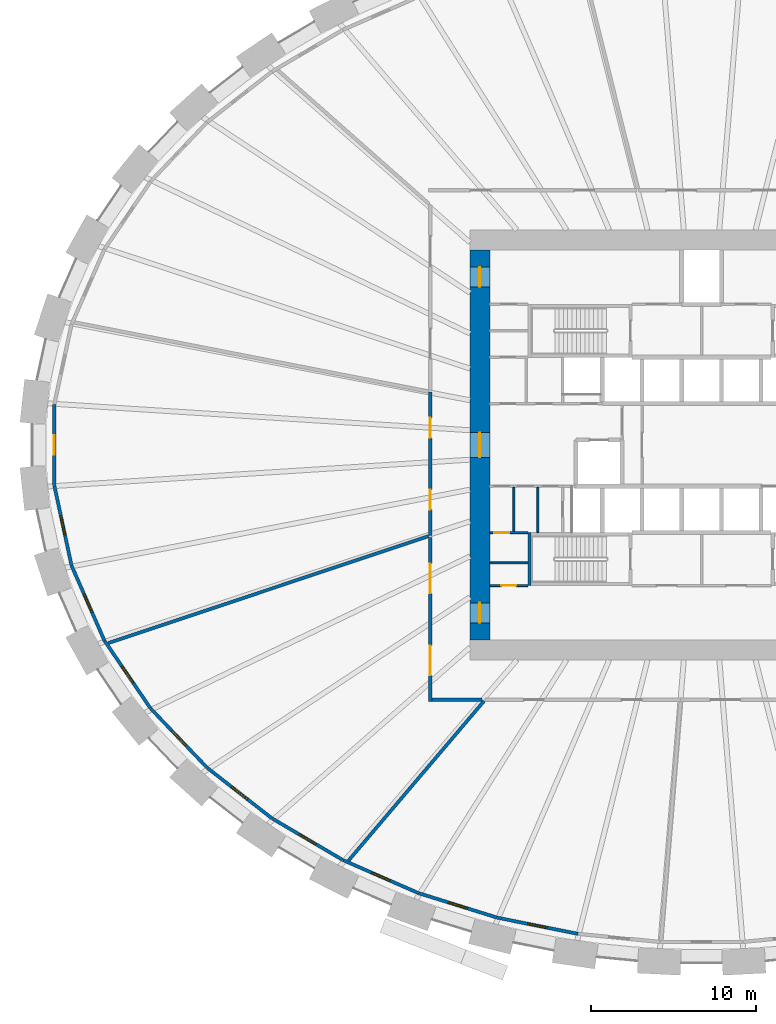
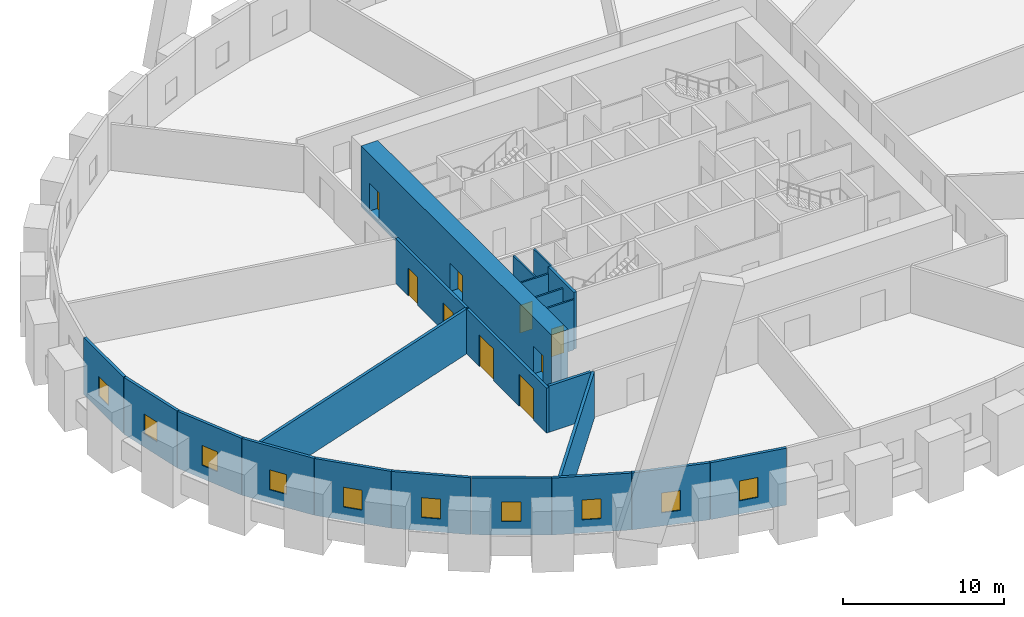
# One storey, part 3 of 9: 22 walls, 10 windows, 9 doors, 19 openings.
"""IFC4 building model written with IfcOpenShell, lengths in metres."""

import ifcopenshell
import ifcopenshell.guid

model = None  # the IFC model being written
_history = None  # IfcOwnerHistory: only IFC2X3 demands one
_inside = {}  # id of a spatial element -> (the spatial element, [elements in it])
_under = {}  # id of a project, library or spatial element -> (it, [spatial elements below it])
_declared = {}  # id of a project -> (the project, [libraries it declares])
_typed = {}  # id of a type object -> (the type object, [elements of that type])
_made_of = {}  # id of a material, layer set ... -> (it, [elements and type objects made of it])


def new_model(schema):
    """Start an empty IFC model of exactly this schema.

    Asked for "IFC4X3", IfcOpenShell would pick the latest addendum, in which some entities
    have other attributes; the version numbers below select the first issue.
    IFC2X3 requires an IfcOwnerHistory on every rooted entity: one is made here for all.
    """
    global model, _history
    if schema == "IFC4X3":
        model = ifcopenshell.file(schema_version=(4, 3, 0, 0))
    else:
        model = ifcopenshell.file(schema=schema)
    _inside.clear()
    _under.clear()
    _declared.clear()
    _typed.clear()
    _made_of.clear()
    _history = None
    if model.schema == "IFC2X3":
        org = make("IfcOrganization", Name="unknown")
        user = make(
            "IfcPersonAndOrganization",
            ThePerson=make("IfcPerson", FamilyName="unknown"),
            TheOrganization=org,
        )
        app = make(
            "IfcApplication",
            ApplicationDeveloper=org,
            Version="unknown",
            ApplicationFullName="unknown",
            ApplicationIdentifier="unknown",
        )
        _history = make(
            "IfcOwnerHistory",
            OwningUser=user,
            OwningApplication=app,
            ChangeAction="ADDED",
            CreationDate=0,
        )
    return model


def make(cls, **values):
    """One entity of the class cls with the attributes given. An attribute that is None is left unset."""
    return model.create_entity(
        cls, **{name: value for name, value in values.items() if value is not None}
    )


def rooted(cls, **values):
    """An entity with a GlobalId (a new one), such as an element, a storey or a relation."""
    return make(cls, GlobalId=ifcopenshell.guid.new(), OwnerHistory=_history, **values)


def si_unit(unit_type, name, prefix=None):
    """IfcSIUnit, for example si_unit("LENGTHUNIT", "METRE", prefix="MILLI")."""
    return make("IfcSIUnit", UnitType=unit_type, Prefix=prefix, Name=name)


def assignment(units):
    """IfcUnitAssignment: the units of a project."""
    return None if units is None else make("IfcUnitAssignment", Units=units)


def point(xyz):
    """IfcCartesianPoint."""
    return None if xyz is None else make("IfcCartesianPoint", Coordinates=xyz)


def direction(xyz):
    """IfcDirection."""
    return None if xyz is None else make("IfcDirection", DirectionRatios=xyz)


def frame(location, z_axis=None, x_axis=None):
    """IfcAxis2Placement3D, a coordinate frame: its origin and axes. An axis left out is left unset."""
    return make(
        "IfcAxis2Placement3D",
        Location=point(location),
        Axis=direction(z_axis),
        RefDirection=direction(x_axis),
    )


def frame_2d(location, x_axis=None):
    """IfcAxis2Placement2D, a coordinate frame in the plane: its origin and x axis."""
    return make(
        "IfcAxis2Placement2D", Location=point(location), RefDirection=direction(x_axis)
    )


def origin():
    """The frame at (0, 0, 0) with its axes left unset."""
    return frame((0.0, 0.0, 0.0))


def place(relative_to, where):
    """IfcLocalPlacement: puts the frame where relative to a parent placement (None: the world)."""
    return make(
        "IfcLocalPlacement", PlacementRelTo=relative_to, RelativePlacement=where
    )


def context(
    kind, dimensions, precision=None, world=None, true_north=None, identifier=None
):
    """IfcGeometricRepresentationContext, for example the 3D "Model" context."""
    return make(
        "IfcGeometricRepresentationContext",
        ContextIdentifier=identifier,
        ContextType=kind,
        CoordinateSpaceDimension=dimensions,
        Precision=precision,
        WorldCoordinateSystem=world,
        TrueNorth=true_north,
    )


def subcontext(parent, identifier, kind, view, scale=None):
    """IfcGeometricRepresentationSubContext, for example "Body" below "Model"."""
    return make(
        "IfcGeometricRepresentationSubContext",
        ContextIdentifier=identifier,
        ContextType=kind,
        ParentContext=parent,
        TargetScale=scale,
        TargetView=view,
    )


def project(units=None, contexts=None):
    """IfcProject with its units and contexts."""
    return rooted(
        "IfcProject",
        Name="project",
        RepresentationContexts=contexts,
        UnitsInContext=assignment(units),
    )


def spatial(cls, under=None, at=None, **own):
    """A site, building, storey or space (cls), placed at a placement, below another one or the project."""
    s = rooted(cls, ObjectPlacement=at, **own)
    if under is not None:
        _under.setdefault(under.id(), (under, []))[1].append(s)
    return s


def profile(cls, at=None, kind="AREA", **sizes):
    """A parametric profile (cls). Its sizes go by their IFC names, for example OverallWidth=200.0."""
    return make(cls, ProfileType=kind, Position=at, **sizes)


def rectangle(**sizes):
    """IfcRectangleProfileDef."""
    return profile("IfcRectangleProfileDef", **sizes)


def extrude(swept, where, along, depth):
    """IfcExtrudedAreaSolid: the profile swept, set in the frame where, extruded along a direction by depth."""
    return make(
        "IfcExtrudedAreaSolid",
        SweptArea=swept,
        Position=where,
        ExtrudedDirection=direction(along),
        Depth=depth,
    )


def shape(context_of_items, identifier, shape_type, items):
    """IfcShapeRepresentation: the items that make up one representation, for example the "Body"."""
    return make(
        "IfcShapeRepresentation",
        ContextOfItems=context_of_items,
        RepresentationIdentifier=identifier,
        RepresentationType=shape_type,
        Items=items,
    )


def source(mapping_origin, context_of_items, identifier, shape_type, items):
    """IfcRepresentationMap: a shape defined once, which mapped items show again and again."""
    return make(
        "IfcRepresentationMap",
        MappingOrigin=mapping_origin,
        MappedRepresentation=shape(context_of_items, identifier, shape_type, items),
    )


def transform(
    local_origin,
    x_axis=None,
    y_axis=None,
    z_axis=None,
    scale=None,
    scale2=None,
    scale3=None,
    uniform=True,
):
    """IfcCartesianTransformationOperator3D, or its non-uniform kind. x_axis, y_axis, z_axis: its Axis1, 2, 3."""
    if uniform:
        return make(
            "IfcCartesianTransformationOperator3D",
            Axis1=direction(x_axis),
            Axis2=direction(y_axis),
            LocalOrigin=point(local_origin),
            Scale=scale,
            Axis3=direction(z_axis),
        )
    return make(
        "IfcCartesianTransformationOperator3DnonUniform",
        Axis1=direction(x_axis),
        Axis2=direction(y_axis),
        LocalOrigin=point(local_origin),
        Scale=scale,
        Axis3=direction(z_axis),
        Scale2=scale2,
        Scale3=scale3,
    )


def mapped(mapping_source, mapping_target):
    """IfcMappedItem: shows the shape of a source again, moved by a transform."""
    return make(
        "IfcMappedItem", MappingSource=mapping_source, MappingTarget=mapping_target
    )


def material(Name=None, Category=None):
    """IfcMaterial."""
    return make("IfcMaterial", Name=Name, Category=Category)


def layer(
    of_material, thickness, ventilated=None, Name=None, Category=None, Priority=None
):
    """IfcMaterialLayer: one layer of a wall or slab, of a material (None: an air gap)."""
    return make(
        "IfcMaterialLayer",
        Material=of_material,
        LayerThickness=thickness,
        IsVentilated=ventilated,
        Name=Name,
        Category=Category,
        Priority=Priority,
    )


def layer_set(layers, Name=None):
    """IfcMaterialLayerSet."""
    return make("IfcMaterialLayerSet", MaterialLayers=layers, LayerSetName=Name)


def made_of(thing, what):
    """Note that an element or type object is made of a material, layer set ...; save() writes the relation."""
    if what is not None:
        _made_of.setdefault(what.id(), (what, []))[1].append(thing)
    return thing


def type_object(cls, material=None, **own):
    """A type object (cls), such as IfcWallType, which elements share."""
    return made_of(rooted(cls, **own), material)


def element(
    cls,
    number,
    at=None,
    inside=None,
    cuts=None,
    type_object=None,
    material=None,
    context=None,
    identifier="Body",
    shape_type=None,
    held_by="IfcProductDefinitionShape",
    body=None,
    shapes=None,
    **own,
):
    """One element of the class cls, such as IfcWall. Its Tag is "e" and its number.

    at: its placement. inside: the storey or other place that contains it. cuts: it is an
    opening in that element (IfcRelVoidsElement). A single representation is given by context,
    identifier, shape_type and body (its items); several are given by shapes. held_by: the class
    of the entity that holds the representations. save() writes the other relations.
    """
    e = rooted(cls, Tag="e%d" % number, ObjectPlacement=at, **own)
    if body is not None:
        shapes = [shape(context, identifier, shape_type, body)]
    if shapes is not None:
        e.Representation = make(held_by, Representations=shapes)
    if inside is not None:
        _inside.setdefault(inside.id(), (inside, []))[1].append(e)
    if cuts is not None:
        rooted(
            "IfcRelVoidsElement", RelatingBuildingElement=cuts, RelatedOpeningElement=e
        )
    if type_object is not None:
        _typed.setdefault(type_object.id(), (type_object, []))[1].append(e)
    return made_of(e, material)


def fill(opening, filler):
    """IfcRelFillsElement: the door or window that sits in an opening."""
    return rooted(
        "IfcRelFillsElement",
        RelatingOpeningElement=opening,
        RelatedBuildingElement=filler,
    )


def aggregate(whole, parts):
    """IfcRelAggregates: a whole, such as a stair, and the parts it consists of."""
    return rooted("IfcRelAggregates", RelatingObject=whole, RelatedObjects=parts)


def save(model, path):
    """Write the relations noted so far, then the file.

    IfcRelAggregates (storeys below a building ...), IfcRelContainedInSpatialStructure (elements
    in a storey), IfcRelDefinesByType, IfcRelAssociatesMaterial and IfcRelDeclares: one each for
    every whole, place, type object, material and project.
    """
    for whole, parts in _under.values():
        aggregate(whole, parts)
    for where, things in _inside.values():
        rooted(
            "IfcRelContainedInSpatialStructure",
            RelatedElements=things,
            RelatingStructure=where,
        )
    for kind, things in _typed.values():
        rooted("IfcRelDefinesByType", RelatedObjects=things, RelatingType=kind)
    for what, things in _made_of.values():
        rooted("IfcRelAssociatesMaterial", RelatedObjects=things, RelatingMaterial=what)
    for by, libraries in _declared.values():
        rooted("IfcRelDeclares", RelatingContext=by, RelatedDefinitions=libraries)
    model.write(path)


model = new_model("IFC4")

# Units and contexts
model_context = context("Model", 3, precision=1e-05, world=origin(), true_north=direction((0.0, 1.0)))
body_context = subcontext(model_context, "Body", "Model", "MODEL_VIEW")
ifc_project = project(units=[si_unit("LENGTHUNIT", "METRE"), si_unit("AREAUNIT", "SQUARE_METRE"), si_unit("VOLUMEUNIT", "CUBIC_METRE"), si_unit("PLANEANGLEUNIT", "RADIAN"), si_unit("MASSUNIT", "GRAM", prefix="KILO")], contexts=[model_context])

# Site, building, storey
site_placement = place(None, origin())
site = spatial("IfcSite", under=ifc_project, at=site_placement, CompositionType="ELEMENT")
building_placement = place(site_placement, origin())
building = spatial("IfcBuilding", under=site, at=building_placement, Name="Embergate Tower", CompositionType="ELEMENT")
storey_placement = place(building_placement, frame((0.0, 0.0, 53.60009765625)))
storey = spatial("IfcBuildingStorey", under=building, at=storey_placement, Name="L09", CompositionType="ELEMENT", Elevation=53.60009765625)

# Wall, openings, doors
ifc_material_1 = material(Name="Concrete C80", Category="concrete")
ifc_layer_1 = layer(ifc_material_1, 1.199951171875)
ifc_layer_set_1 = layer_set([ifc_layer_1], Name="Concrete C80")
wall_type_1 = type_object("IfcWallType", Name="Core outer wall C80 1200", PredefinedType="SHEAR", material=ifc_layer_set_1)
shared_shape_1 = source(origin(), body_context, "Body", "SweptSolid", [
    extrude(rectangle(XDim=23.60009765625, YDim=1.199951171875, at=frame_2d((11.800048828125, 0.0))), origin(), (0.0, 0.0, 1.0), 4.599853515625),
])
wall_1_placement = place(storey_placement, frame((-13.39990234375, -11.800048828125, -0.300048828125), z_axis=(0.0, 0.0, 1.0), x_axis=(0.0, 1.0, 0.0)))
wall_1 = element("IfcWall", 1, at=wall_1_placement, inside=storey, type_object=wall_type_1, Name="CW-L09-W", PredefinedType="SHEAR", context=body_context, shape_type="MappedRepresentation", body=[
    mapped(shared_shape_1, transform((0.0, 0.0, 0.0))),
])
shared_shape_2 = source(origin(), body_context, "Body", "SweptSolid", [
    extrude(rectangle(XDim=1.199951171875, YDim=2.10009765625, at=frame_2d((0.60009765625, 1.050048828125))), frame((0.0, 0.60986328125, 0.0), z_axis=(0.0, -1.0, 0.0), x_axis=(1.0, 0.0, 0.0)), (0.0, 0.0, 1.0), 1.219970703125),
])
opening_1_placement = place(wall_1_placement, frame((21.35009765625, 0.0, 0.300048828125)))
opening_1 = element("IfcOpeningElement", 2, at=opening_1_placement, cuts=wall_1, Name="Opening IF-1", PredefinedType="OPENING", context=body_context, shape_type="MappedRepresentation", body=[
    mapped(shared_shape_2, transform((0.0, 0.0, 0.0))),
])
opening_2_placement = place(wall_1_placement, frame((1.050048828125, 0.0, 0.300048828125)))
opening_2 = element("IfcOpeningElement", 3, at=opening_2_placement, cuts=wall_1, Name="Opening IF-1", PredefinedType="OPENING", context=body_context, shape_type="MappedRepresentation", body=[
    mapped(shared_shape_2, transform((0.0, 0.0, 0.0))),
])
shared_shape_3 = source(origin(), body_context, "Body", "SweptSolid", [
    extrude(rectangle(XDim=1.5, YDim=2.10009765625, at=frame_2d((0.75, 1.050048828125))), frame((0.0, 0.60986328125, 0.0), z_axis=(0.0, -1.0, 0.0), x_axis=(1.0, 0.0, 0.0)), (0.0, 0.0, 1.0), 1.219970703125),
])
opening_3_placement = place(wall_1_placement, frame((11.050048828125, 0.0, 0.300048828125)))
opening_3 = element("IfcOpeningElement", 4, at=opening_3_placement, cuts=wall_1, Name="Opening IF-3", PredefinedType="OPENING", context=body_context, shape_type="MappedRepresentation", body=[
    mapped(shared_shape_3, transform((0.0, 0.0, 0.0))),
])
ifc_material_2 = material(Name="Escape fire door 1200")
door_type_1 = type_object("IfcDoorType", Name="Escape fire door 1200", OperationType="SINGLE_SWING_LEFT", PredefinedType="DOOR", material=ifc_material_2)
shared_shape_4 = source(origin(), body_context, "Body", "SweptSolid", [
    extrude(rectangle(XDim=1.199951171875, YDim=2.10009765625, at=frame_2d((0.60009765625, 1.050048828125))), frame((0.0, 0.02490234375, 0.0), z_axis=(0.0, -1.0, 0.0), x_axis=(1.0, 0.0, 0.0)), (0.0, 0.0, 1.0), 0.050048828125),
])
door_1_placement = place(opening_1_placement, origin())
door_1 = element("IfcDoor", 5, at=door_1_placement, inside=storey, type_object=door_type_1, Name="IF-1 door", OperationType="SINGLE_SWING_LEFT", OverallHeight=2.10009765625, OverallWidth=1.199951171875, PredefinedType="DOOR", context=body_context, shape_type="MappedRepresentation", body=[
    mapped(shared_shape_4, transform((0.0, 0.0, 0.0))),
])
fill(opening_1, door_1)
door_2_placement = place(opening_2_placement, origin())
door_2 = element("IfcDoor", 6, at=door_2_placement, inside=storey, type_object=door_type_1, Name="IF-1 door", OperationType="SINGLE_SWING_RIGHT", OverallHeight=2.10009765625, OverallWidth=1.199951171875, PredefinedType="DOOR", context=body_context, shape_type="MappedRepresentation", body=[
    mapped(shared_shape_4, transform((0.0, 0.0, 0.0))),
])
fill(opening_2, door_2)
ifc_material_3 = material(Name="Lobby fire door pair 1500")
door_type_2 = type_object("IfcDoorType", Name="Lobby fire door pair 1500", OperationType="DOUBLE_DOOR_SINGLE_SWING", PredefinedType="DOOR", material=ifc_material_3)
shared_shape_5 = source(origin(), body_context, "Body", "SweptSolid", [
    extrude(rectangle(XDim=1.5, YDim=2.10009765625, at=frame_2d((0.75, 1.050048828125))), frame((0.0, 0.02490234375, 0.0), z_axis=(0.0, -1.0, 0.0), x_axis=(1.0, 0.0, 0.0)), (0.0, 0.0, 1.0), 0.050048828125),
])
door_3_placement = place(opening_3_placement, origin())
door_3 = element("IfcDoor", 7, at=door_3_placement, inside=storey, type_object=door_type_2, Name="IF-3 door", OperationType="DOUBLE_DOOR_SINGLE_SWING", OverallHeight=2.10009765625, OverallWidth=1.5, PredefinedType="DOOR", context=body_context, shape_type="MappedRepresentation", body=[
    mapped(shared_shape_5, transform((0.0, 0.0, 0.0))),
])
fill(opening_3, door_3)

# Wall, opening, window
ifc_material_4 = material(Name="Terracotta louvre cladding on insulated backing", Category="masonry")
ifc_layer_2 = layer(ifc_material_4, 0.199951171875)
ifc_layer_set_2 = layer_set([ifc_layer_2], Name="Terracotta louvre cladding on insulated backing")
wall_type_2 = type_object("IfcWallType", Name="Terracotta louvre wall", PredefinedType="SOLIDWALL", material=ifc_layer_set_2)
shared_shape_6 = source(origin(), body_context, "Body", "SweptSolid", [
    extrude(rectangle(XDim=4.91845703125, YDim=0.199951171875, at=frame_2d((2.459228515625, 0.0))), origin(), (0.0, 0.0, 1.0), 4.2998046875),
])
wall_2_placement = place(storey_placement, frame((-38.085693359375, -7.285888671875, 0.0), z_axis=(0.0, 0.0, 1.0), x_axis=(-0.210413762809, 0.977612422395, 0.0)))
wall_2 = element("IfcWall", 8, at=wall_2_placement, inside=storey, type_object=wall_type_2, Name="Louvre wall 23", PredefinedType="SOLIDWALL", context=body_context, shape_type="MappedRepresentation", body=[
    mapped(shared_shape_6, transform((0.0, 0.0, 0.0))),
])
shared_shape_7 = source(origin(), body_context, "Body", "SweptSolid", [
    extrude(rectangle(XDim=1.199951171875, YDim=1.5, at=frame_2d((0.60009765625, 0.75))), frame((0.0, 0.10986328125, 0.0), z_axis=(0.0, -1.0, 0.0), x_axis=(1.0, 0.0, 0.0)), (0.0, 0.0, 1.0), 0.219970703125),
])
opening_4_placement = place(wall_2_placement, frame((1.859130859375, 0.0, 1.0)))
opening_4 = element("IfcOpeningElement", 9, at=opening_4_placement, cuts=wall_2, Name="Opening RW", PredefinedType="OPENING", context=body_context, shape_type="MappedRepresentation", body=[
    mapped(shared_shape_7, transform((0.0, 0.0, 0.0))),
])
ifc_material_5 = material(Name="Aluminium, thermally broken, triple glazed", Category="aluminium")
window_type = type_object("IfcWindowType", Name="Refuge operable window", PartitioningType="SINGLE_PANEL", PredefinedType="WINDOW", material=ifc_material_5)
shared_shape_8 = source(origin(), body_context, "Body", "SweptSolid", [
    extrude(rectangle(XDim=1.199951171875, YDim=1.5, at=frame_2d((0.60009765625, 0.75))), frame((0.0, 0.030029296875, 0.0), z_axis=(0.0, -1.0, 0.0), x_axis=(1.0, 0.0, 0.0)), (0.0, 0.0, 1.0), 0.06005859375),
])
window_1_placement = place(opening_4_placement, origin())
window_1 = element("IfcWindow", 10, at=window_1_placement, inside=storey, type_object=window_type, Name="Refuge window 23", OverallHeight=1.5, OverallWidth=1.199951171875, PartitioningType="SINGLE_PANEL", PredefinedType="WINDOW", context=body_context, shape_type="MappedRepresentation", body=[
    mapped(shared_shape_8, transform((0.0, 0.0, 0.0))),
])
fill(opening_4, window_1)

shared_shape_9 = source(origin(), body_context, "Body", "SweptSolid", [
    extrude(rectangle(XDim=4.92578125, YDim=0.199951171875, at=frame_2d((2.462890625, 0.0))), origin(), (0.0, 0.0, 1.0), 4.2998046875),
])
wall_3_placement = place(storey_placement, frame((-36.101318359375, -11.81591796875, 0.0), z_axis=(0.0, 0.0, 1.0), x_axis=(-0.401622114254, 0.915805480079, 0.0)))
wall_3 = element("IfcWall", 11, at=wall_3_placement, inside=storey, type_object=wall_type_2, Name="Louvre wall 24", PredefinedType="SOLIDWALL", context=body_context, shape_type="MappedRepresentation", body=[
    mapped(shared_shape_9, transform((0.0, 0.0, 0.0))),
])
opening_5_placement = place(wall_3_placement, frame((1.86279296875, 0.0, 1.0)))
opening_5 = element("IfcOpeningElement", 12, at=opening_5_placement, cuts=wall_3, Name="Opening RW", PredefinedType="OPENING", context=body_context, shape_type="MappedRepresentation", body=[
    mapped(shared_shape_7, transform((0.0, 0.0, 0.0))),
])
window_2_placement = place(opening_5_placement, origin())
window_2 = element("IfcWindow", 13, at=window_2_placement, inside=storey, type_object=window_type, Name="Refuge window 24", OverallHeight=1.5, OverallWidth=1.199951171875, PartitioningType="SINGLE_PANEL", PredefinedType="WINDOW", context=body_context, shape_type="MappedRepresentation", body=[
    mapped(shared_shape_8, transform((0.0, 0.0, 0.0))),
])
fill(opening_5, window_2)

shared_shape_10 = source(origin(), body_context, "Body", "SweptSolid", [
    extrude(rectangle(XDim=4.934814453125, YDim=0.199951171875, at=frame_2d((2.46728515625, 0.0))), origin(), (0.0, 0.0, 1.0), 4.2998046875),
])
wall_4_placement = place(storey_placement, frame((-33.316650390625, -15.913818359375, 0.0), z_axis=(0.0, 0.0, 1.0), x_axis=(-0.562360088829, 0.826892454006, 0.0)))
wall_4 = element("IfcWall", 14, at=wall_4_placement, inside=storey, type_object=wall_type_2, Name="Louvre wall 25", PredefinedType="SOLIDWALL", context=body_context, shape_type="MappedRepresentation", body=[
    mapped(shared_shape_10, transform((0.0, 0.0, 0.0))),
])
opening_6_placement = place(wall_4_placement, frame((1.867431640625, 0.0, 1.0)))
opening_6 = element("IfcOpeningElement", 15, at=opening_6_placement, cuts=wall_4, Name="Opening RW", PredefinedType="OPENING", context=body_context, shape_type="MappedRepresentation", body=[
    mapped(shared_shape_7, transform((0.0, 0.0, 0.0))),
])
window_3_placement = place(opening_6_placement, origin())
window_3 = element("IfcWindow", 16, at=window_3_placement, inside=storey, type_object=window_type, Name="Refuge window 25", OverallHeight=1.5, OverallWidth=1.199951171875, PartitioningType="SINGLE_PANEL", PredefinedType="WINDOW", context=body_context, shape_type="MappedRepresentation", body=[
    mapped(shared_shape_8, transform((0.0, 0.0, 0.0))),
])
fill(opening_6, window_3)

shared_shape_11 = source(origin(), body_context, "Body", "SweptSolid", [
    extrude(rectangle(XDim=4.94384765625, YDim=0.199951171875, at=frame_2d((2.471923828125, 0.0))), origin(), (0.0, 0.0, 1.0), 4.2998046875),
])
wall_5_placement = place(storey_placement, frame((-29.892333984375, -19.507080078125, 0.0), z_axis=(0.0, 0.0, 1.0), x_axis=(-0.690117440246, 0.723697394405, 0.0)))
wall_5 = element("IfcWall", 17, at=wall_5_placement, inside=storey, type_object=wall_type_2, Name="Louvre wall 26", PredefinedType="SOLIDWALL", context=body_context, shape_type="MappedRepresentation", body=[
    mapped(shared_shape_11, transform((0.0, 0.0, 0.0))),
])
opening_7_placement = place(wall_5_placement, frame((1.871826171875, 0.0, 1.0)))
opening_7 = element("IfcOpeningElement", 18, at=opening_7_placement, cuts=wall_5, Name="Opening RW", PredefinedType="OPENING", context=body_context, shape_type="MappedRepresentation", body=[
    mapped(shared_shape_7, transform((0.0, 0.0, 0.0))),
])
window_4_placement = place(opening_7_placement, origin())
window_4 = element("IfcWindow", 19, at=window_4_placement, inside=storey, type_object=window_type, Name="Refuge window 26", OverallHeight=1.5, OverallWidth=1.199951171875, PartitioningType="SINGLE_PANEL", PredefinedType="WINDOW", context=body_context, shape_type="MappedRepresentation", body=[
    mapped(shared_shape_8, transform((0.0, 0.0, 0.0))),
])
fill(opening_7, window_4)

shared_shape_12 = source(origin(), body_context, "Body", "SweptSolid", [
    extrude(rectangle(XDim=4.951416015625, YDim=0.199951171875, at=frame_2d((2.4755859375, 0.0))), origin(), (0.0, 0.0, 1.0), 4.2998046875),
])
wall_6_placement = place(storey_placement, frame((-25.974365234375, -22.56689453125, 0.0), z_axis=(0.0, 0.0, 1.0), x_axis=(-0.788326282833, 0.615257402877, 0.0)))
wall_6 = element("IfcWall", 20, at=wall_6_placement, inside=storey, type_object=wall_type_2, Name="Louvre wall 27", PredefinedType="SOLIDWALL", context=body_context, shape_type="MappedRepresentation", body=[
    mapped(shared_shape_12, transform((0.0, 0.0, 0.0))),
])
opening_8_placement = place(wall_6_placement, frame((1.875732421875, 0.0, 1.0)))
opening_8 = element("IfcOpeningElement", 21, at=opening_8_placement, cuts=wall_6, Name="Opening RW", PredefinedType="OPENING", context=body_context, shape_type="MappedRepresentation", body=[
    mapped(shared_shape_7, transform((0.0, 0.0, 0.0))),
])
window_5_placement = place(opening_8_placement, origin())
window_5 = element("IfcWindow", 22, at=window_5_placement, inside=storey, type_object=window_type, Name="Refuge window 27", OverallHeight=1.5, OverallWidth=1.199951171875, PartitioningType="SINGLE_PANEL", PredefinedType="WINDOW", context=body_context, shape_type="MappedRepresentation", body=[
    mapped(shared_shape_8, transform((0.0, 0.0, 0.0))),
])
fill(opening_8, window_5)

shared_shape_13 = source(origin(), body_context, "Body", "SweptSolid", [
    extrude(rectangle(XDim=4.95751953125, YDim=0.199951171875, at=frame_2d((2.478759765625, 0.0))), origin(), (0.0, 0.0, 1.0), 4.2998046875),
])
wall_7_placement = place(storey_placement, frame((-21.68408203125, -25.090576171875, 0.0), z_axis=(0.0, 0.0, 1.0), x_axis=(-0.86204306716, 0.506835032689, 0.0)))
wall_7 = element("IfcWall", 23, at=wall_7_placement, inside=storey, type_object=wall_type_2, Name="Louvre wall 28", PredefinedType="SOLIDWALL", context=body_context, shape_type="MappedRepresentation", body=[
    mapped(shared_shape_13, transform((0.0, 0.0, 0.0))),
])
opening_9_placement = place(wall_7_placement, frame((1.87890625, 0.0, 1.0)))
opening_9 = element("IfcOpeningElement", 24, at=opening_9_placement, cuts=wall_7, Name="Opening RW", PredefinedType="OPENING", context=body_context, shape_type="MappedRepresentation", body=[
    mapped(shared_shape_7, transform((0.0, 0.0, 0.0))),
])
window_6_placement = place(opening_9_placement, origin())
window_6 = element("IfcWindow", 25, at=window_6_placement, inside=storey, type_object=window_type, Name="Refuge window 28", OverallHeight=1.5, OverallWidth=1.199951171875, PartitioningType="SINGLE_PANEL", PredefinedType="WINDOW", context=body_context, shape_type="MappedRepresentation", body=[
    mapped(shared_shape_8, transform((0.0, 0.0, 0.0))),
])
fill(opening_9, window_6)

shared_shape_14 = source(origin(), body_context, "Body", "SweptSolid", [
    extrude(rectangle(XDim=4.96240234375, YDim=0.199951171875, at=frame_2d((2.481201171875, 0.0))), origin(), (0.0, 0.0, 1.0), 4.2998046875),
])
wall_8_placement = place(storey_placement, frame((-17.119873046875, -27.087890625, 0.0), z_axis=(0.0, 0.0, 1.0), x_axis=(-0.916221684268, 0.40067171759, 0.0)))
wall_8 = element("IfcWall", 26, at=wall_8_placement, inside=storey, type_object=wall_type_2, Name="Louvre wall 29", PredefinedType="SOLIDWALL", context=body_context, shape_type="MappedRepresentation", body=[
    mapped(shared_shape_14, transform((0.0, 0.0, 0.0))),
])
opening_10_placement = place(wall_8_placement, frame((1.881103515625, 0.0, 1.0)))
opening_10 = element("IfcOpeningElement", 27, at=opening_10_placement, cuts=wall_8, Name="Opening RW", PredefinedType="OPENING", context=body_context, shape_type="MappedRepresentation", body=[
    mapped(shared_shape_7, transform((0.0, 0.0, 0.0))),
])
window_7_placement = place(opening_10_placement, origin())
window_7 = element("IfcWindow", 28, at=window_7_placement, inside=storey, type_object=window_type, Name="Refuge window 29", OverallHeight=1.5, OverallWidth=1.199951171875, PartitioningType="SINGLE_PANEL", PredefinedType="WINDOW", context=body_context, shape_type="MappedRepresentation", body=[
    mapped(shared_shape_8, transform((0.0, 0.0, 0.0))),
])
fill(opening_10, window_7)

shared_shape_15 = source(origin(), body_context, "Body", "SweptSolid", [
    extrude(rectangle(XDim=4.965576171875, YDim=0.199951171875, at=frame_2d((2.48291015625, 0.0))), origin(), (0.0, 0.0, 1.0), 4.2998046875),
])
wall_9_placement = place(storey_placement, frame((-12.360107421875, -28.5712890625, 0.0), z_axis=(0.0, 0.0, 1.0), x_axis=(-0.954765614981, 0.297359412916, 0.0)))
wall_9 = element("IfcWall", 29, at=wall_9_placement, inside=storey, type_object=wall_type_2, Name="Louvre wall 30", PredefinedType="SOLIDWALL", context=body_context, shape_type="MappedRepresentation", body=[
    mapped(shared_shape_15, transform((0.0, 0.0, 0.0))),
])
opening_11_placement = place(wall_9_placement, frame((1.8828125, 0.0, 1.0)))
opening_11 = element("IfcOpeningElement", 30, at=opening_11_placement, cuts=wall_9, Name="Opening RW", PredefinedType="OPENING", context=body_context, shape_type="MappedRepresentation", body=[
    mapped(shared_shape_7, transform((0.0, 0.0, 0.0))),
])
window_8_placement = place(opening_11_placement, origin())
window_8 = element("IfcWindow", 31, at=window_8_placement, inside=storey, type_object=window_type, Name="Refuge window 30", OverallHeight=1.5, OverallWidth=1.199951171875, PartitioningType="SINGLE_PANEL", PredefinedType="WINDOW", context=body_context, shape_type="MappedRepresentation", body=[
    mapped(shared_shape_8, transform((0.0, 0.0, 0.0))),
])
fill(opening_11, window_8)

shared_shape_16 = source(origin(), body_context, "Body", "SweptSolid", [
    extrude(rectangle(XDim=4.9677734375, YDim=0.199951171875, at=frame_2d((2.48388671875, 0.0))), origin(), (0.0, 0.0, 1.0), 4.2998046875),
])
wall_10_placement = place(storey_placement, frame((-7.469970703125, -29.552978515625, 0.0), z_axis=(0.0, 0.0, 1.0), x_axis=(-0.980478473898, 0.196626453515, 0.0)))
wall_10 = element("IfcWall", 32, at=wall_10_placement, inside=storey, type_object=wall_type_2, Name="Louvre wall 31", PredefinedType="SOLIDWALL", context=body_context, shape_type="MappedRepresentation", body=[
    mapped(shared_shape_16, transform((0.0, 0.0, 0.0))),
])
opening_12_placement = place(wall_10_placement, frame((1.8837890625, 0.0, 1.0)))
opening_12 = element("IfcOpeningElement", 33, at=opening_12_placement, cuts=wall_10, Name="Opening RW", PredefinedType="OPENING", context=body_context, shape_type="MappedRepresentation", body=[
    mapped(shared_shape_7, transform((0.0, 0.0, 0.0))),
])
window_9_placement = place(opening_12_placement, origin())
window_9 = element("IfcWindow", 34, at=window_9_placement, inside=storey, type_object=window_type, Name="Refuge window 31", OverallHeight=1.5, OverallWidth=1.199951171875, PartitioningType="SINGLE_PANEL", PredefinedType="WINDOW", context=body_context, shape_type="MappedRepresentation", body=[
    mapped(shared_shape_8, transform((0.0, 0.0, 0.0))),
])
fill(opening_12, window_9)

shared_shape_17 = source(origin(), body_context, "Body", "SweptSolid", [
    extrude(rectangle(XDim=4.91552734375, YDim=0.199951171875, at=frame_2d((2.457763671875, 0.0))), origin(), (0.0, 0.0, 1.0), 4.2998046875),
])
wall_11_placement = place(storey_placement, frame((-39.122802734375, -2.457763671875, 0.0), z_axis=(0.0, 0.0, 1.0), x_axis=(0.0, 1.0, 0.0)))
wall_11 = element("IfcWall", 35, at=wall_11_placement, inside=storey, type_object=wall_type_2, Name="Louvre wall 22", PredefinedType="SOLIDWALL", context=body_context, shape_type="MappedRepresentation", body=[
    mapped(shared_shape_17, transform((0.0, 0.0, 0.0))),
])
opening_13_placement = place(wall_11_placement, frame((1.85791015625, 0.0, 1.0)))
opening_13 = element("IfcOpeningElement", 36, at=opening_13_placement, cuts=wall_11, Name="Opening RW", PredefinedType="OPENING", context=body_context, shape_type="MappedRepresentation", body=[
    mapped(shared_shape_7, transform((0.0, 0.0, 0.0))),
])
window_10_placement = place(opening_13_placement, origin())
window_10 = element("IfcWindow", 37, at=window_10_placement, inside=storey, type_object=window_type, Name="Refuge window 22", OverallHeight=1.5, OverallWidth=1.199951171875, PartitioningType="SINGLE_PANEL", PredefinedType="WINDOW", context=body_context, shape_type="MappedRepresentation", body=[
    mapped(shared_shape_8, transform((0.0, 0.0, 0.0))),
])
fill(opening_13, window_10)

# Walls
ifc_material_6 = material(Name="Core partition blockwork 120")
ifc_layer_3 = layer(ifc_material_6, 0.1201171875)
ifc_layer_set_3 = layer_set([ifc_layer_3], Name="Core partition blockwork 120")
wall_type_3 = type_object("IfcWallType", Name="Core partition blockwork 120", PredefinedType="PARTITIONING", material=ifc_layer_set_3)
shared_shape_18 = source(origin(), body_context, "Body", "SweptSolid", [
    extrude(rectangle(XDim=2.739990234375, YDim=0.1201171875, at=frame_2d((1.3701171875, 0.0))), origin(), (0.0, 0.0, 1.0), 3.7998046875),
])
wall_12_placement = place(storey_placement, frame((-9.89599609375, -5.300048828125, 0.0), z_axis=(0.0, 0.0, 1.0), x_axis=(0.0, 1.0, 0.0)))
element("IfcWall", 38, at=wall_12_placement, inside=storey, type_object=wall_type_3, Name="IP-3 wall", PredefinedType="PARTITIONING", context=body_context, shape_type="MappedRepresentation", body=[
    mapped(shared_shape_18, transform((0.0, 0.0, 0.0))),
])
ifc_material_7 = material(Name="Concrete C50", Category="concrete")
ifc_layer_4 = layer(ifc_material_7, 0.199951171875)
ifc_layer_set_4 = layer_set([ifc_layer_4], Name="Concrete C50")
wall_type_4 = type_object("IfcWallType", Name="Stair enclosure wall reinforced concrete 250", PredefinedType="SHEAR", material=ifc_layer_set_4)
shared_shape_19 = source(origin(), body_context, "Body", "SweptSolid", [
    extrude(rectangle(XDim=3.199951171875, YDim=0.199951171875, at=frame_2d((1.60009765625, 0.0))), origin(), (0.0, 0.0, 1.0), 4.2998046875),
])
wall_13_placement = place(storey_placement, frame((-10.39990234375, -5.300048828125, 0.0), z_axis=(0.0, 0.0, 1.0), x_axis=(0.0, -1.0, 0.0)))
element("IfcWall", 39, at=wall_13_placement, inside=storey, type_object=wall_type_4, Name="SE-1 wall", PredefinedType="SHEAR", context=body_context, shape_type="MappedRepresentation", body=[
    mapped(shared_shape_19, transform((0.0, 0.0, 0.0))),
])

# Wall, opening, door
shared_shape_20 = source(origin(), body_context, "Body", "SweptSolid", [
    extrude(rectangle(XDim=2.300048828125, YDim=0.1201171875, at=frame_2d((1.14990234375, 0.0))), origin(), (0.0, 0.0, 1.0), 3.7998046875),
])
wall_14_placement = place(storey_placement, frame((-10.5, -8.5, 0.0), z_axis=(0.0, 0.0, 1.0), x_axis=(-1.0, 0.0, 0.0)))
wall_14 = element("IfcWall", 40, at=wall_14_placement, inside=storey, type_object=wall_type_3, Name="IP-3 wall", PredefinedType="PARTITIONING", context=body_context, shape_type="MappedRepresentation", body=[
    mapped(shared_shape_20, transform((0.0, 0.0, 0.0))),
])
shared_shape_21 = source(origin(), body_context, "Body", "SweptSolid", [
    extrude(rectangle(XDim=0.89990234375, YDim=2.10009765625, at=frame_2d((0.449951171875, 1.050048828125))), frame((0.0, 0.070068359375, 0.0), z_axis=(0.0, -1.0, 0.0), x_axis=(1.0, 0.0, 0.0)), (0.0, 0.0, 1.0), 0.14013671875),
])
opening_14_placement = place(wall_14_placement, frame((0.699951171875, 0.0, 0.0)))
opening_14 = element("IfcOpeningElement", 41, at=opening_14_placement, cuts=wall_14, Name="Opening ID-1", PredefinedType="OPENING", context=body_context, shape_type="MappedRepresentation", body=[
    mapped(shared_shape_21, transform((0.0, 0.0, 0.0))),
])
ifc_material_8 = material(Name="Interior door 900")
door_type_3 = type_object("IfcDoorType", Name="Interior door 900", OperationType="SINGLE_SWING_LEFT", PredefinedType="DOOR", material=ifc_material_8)
shared_shape_22 = source(origin(), body_context, "Body", "SweptSolid", [
    extrude(rectangle(XDim=0.89990234375, YDim=2.10009765625, at=frame_2d((0.449951171875, 1.050048828125))), frame((0.0, 0.02490234375, 0.0), z_axis=(0.0, -1.0, 0.0), x_axis=(1.0, 0.0, 0.0)), (0.0, 0.0, 1.0), 0.050048828125),
])
door_4_placement = place(opening_14_placement, origin())
door_4 = element("IfcDoor", 42, at=door_4_placement, inside=storey, type_object=door_type_3, Name="ID-1 door", OperationType="SINGLE_SWING_LEFT", OverallHeight=2.10009765625, OverallWidth=0.89990234375, PredefinedType="DOOR", context=body_context, shape_type="MappedRepresentation", body=[
    mapped(shared_shape_22, transform((0.0, 0.0, 0.0))),
])
fill(opening_14, door_4)

wall_15_placement = place(storey_placement, frame((-12.800048828125, -5.300048828125, 0.0), z_axis=(0.0, 0.0, 1.0), x_axis=(1.0, 0.0, 0.0)))
wall_15 = element("IfcWall", 43, at=wall_15_placement, inside=storey, type_object=wall_type_3, Name="IP-3 wall", PredefinedType="PARTITIONING", context=body_context, shape_type="MappedRepresentation", body=[
    mapped(shared_shape_20, transform((0.0, 0.0, 0.0))),
])
opening_15_placement = place(wall_15_placement, frame((0.27587890625, 0.0, 0.0)))
opening_15 = element("IfcOpeningElement", 44, at=opening_15_placement, cuts=wall_15, Name="Opening ID-1", PredefinedType="OPENING", context=body_context, shape_type="MappedRepresentation", body=[
    mapped(shared_shape_21, transform((0.0, 0.0, 0.0))),
])
door_5_placement = place(opening_15_placement, origin())
door_5 = element("IfcDoor", 45, at=door_5_placement, inside=storey, type_object=door_type_3, Name="ID-1 door", OperationType="SINGLE_SWING_LEFT", OverallHeight=2.10009765625, OverallWidth=0.89990234375, PredefinedType="DOOR", context=body_context, shape_type="MappedRepresentation", body=[
    mapped(shared_shape_22, transform((0.0, 0.0, 0.0))),
])
fill(opening_15, door_5)

# Walls
wall_16_placement = place(storey_placement, frame((-10.5, -7.1240234375, 0.0), z_axis=(0.0, 0.0, 1.0), x_axis=(-1.0, 0.0, 0.0)))
element("IfcWall", 46, at=wall_16_placement, inside=storey, type_object=wall_type_3, Name="IP-3 wall", PredefinedType="PARTITIONING", context=body_context, shape_type="MappedRepresentation", body=[
    mapped(shared_shape_20, transform((0.0, 0.0, 0.0))),
])
shared_shape_23 = source(origin(), body_context, "Body", "SweptSolid", [
    extrude(rectangle(XDim=2.679931640625, YDim=0.1201171875, at=frame_2d((1.33984375, 0.0))), origin(), (0.0, 0.0, 1.0), 3.7998046875),
])
wall_17_placement = place(storey_placement, frame((-11.347900390625, -5.239990234375, 0.0), z_axis=(0.0, 0.0, 1.0), x_axis=(0.0, 1.0, 0.0)))
element("IfcWall", 47, at=wall_17_placement, inside=storey, type_object=wall_type_3, Name="IP-3 wall", PredefinedType="PARTITIONING", context=body_context, shape_type="MappedRepresentation", body=[
    mapped(shared_shape_23, transform((0.0, 0.0, 0.0))),
])

# Wall, openings, doors
ifc_material_9 = material(Name="Blockwork, plastered", Category="masonry")
ifc_layer_5 = layer(ifc_material_9, 0.199951171875)
ifc_layer_set_5 = layer_set([ifc_layer_5], Name="Blockwork, plastered")
wall_type_5 = type_object("IfcWallType", Name="Fire partition wall 200 block", PredefinedType="PARTITIONING", material=ifc_layer_set_5)
shared_shape_24 = source(origin(), body_context, "Body", "SweptSolid", [
    extrude(rectangle(XDim=9.903076171875, YDim=0.199951171875, at=frame_2d((4.95166015625, 0.0))), origin(), (0.0, 0.0, 1.0), 3.39990234375),
])
wall_18_placement = place(storey_placement, frame((-16.39990234375, -15.5, 0.0), z_axis=(0.0, 0.0, 1.0), x_axis=(0.0, 1.0, 0.0)))
wall_18 = element("IfcWall", 48, at=wall_18_placement, inside=storey, type_object=wall_type_5, Name="Partition 001", PredefinedType="PARTITIONING", context=body_context, shape_type="MappedRepresentation", body=[
    mapped(shared_shape_24, transform((0.0, 0.0, 0.0))),
])
shared_shape_25 = source(origin(), body_context, "Body", "SweptSolid", [
    extrude(rectangle(XDim=1.800048828125, YDim=2.39990234375, at=frame_2d((0.89990234375, 1.199951171875))), frame((0.0, 0.10986328125, 0.0), z_axis=(0.0, -1.0, 0.0), x_axis=(1.0, 0.0, 0.0)), (0.0, 0.0, 1.0), 0.219970703125),
])
opening_16_placement = place(wall_18_placement, frame((1.575927734375, 0.0, 0.0)))
opening_16 = element("IfcOpeningElement", 49, at=opening_16_placement, cuts=wall_18, Name="Opening DS-145", PredefinedType="OPENING", context=body_context, shape_type="MappedRepresentation", body=[
    mapped(shared_shape_25, transform((0.0, 0.0, 0.0))),
])
opening_17_placement = place(wall_18_placement, frame((6.527099609375, 0.0, 0.0)))
opening_17 = element("IfcOpeningElement", 50, at=opening_17_placement, cuts=wall_18, Name="Opening DS-146", PredefinedType="OPENING", context=body_context, shape_type="MappedRepresentation", body=[
    mapped(shared_shape_25, transform((0.0, 0.0, 0.0))),
])
ifc_material_10 = material(Name="Timber door leaf, steel frame", Category="steel")
door_type_4 = type_object("IfcDoorType", Name="Double door 1800x2400", OperationType="DOUBLE_DOOR_SINGLE_SWING", PredefinedType="DOOR", material=ifc_material_10)
shared_shape_26 = source(origin(), body_context, "Body", "SweptSolid", [
    extrude(rectangle(XDim=1.800048828125, YDim=2.39990234375, at=frame_2d((0.89990234375, 1.199951171875))), frame((0.0, 0.02490234375, 0.0), z_axis=(0.0, -1.0, 0.0), x_axis=(1.0, 0.0, 0.0)), (0.0, 0.0, 1.0), 0.050048828125),
])
door_6_placement = place(opening_16_placement, origin())
door_6 = element("IfcDoor", 51, at=door_6_placement, inside=storey, type_object=door_type_4, Name="Door to Refuge area", OperationType="SINGLE_SWING_LEFT", OverallHeight=2.39990234375, OverallWidth=1.800048828125, PredefinedType="DOOR", context=body_context, shape_type="MappedRepresentation", body=[
    mapped(shared_shape_26, transform((0.0, 0.0, 0.0))),
])
fill(opening_16, door_6)
door_7_placement = place(opening_17_placement, origin())
door_7 = element("IfcDoor", 52, at=door_7_placement, inside=storey, type_object=door_type_4, Name="Door to Refuge area", OperationType="SINGLE_SWING_LEFT", OverallHeight=2.39990234375, OverallWidth=1.800048828125, PredefinedType="DOOR", context=body_context, shape_type="MappedRepresentation", body=[
    mapped(shared_shape_26, transform((0.0, 0.0, 0.0))),
])
fill(opening_17, door_7)

# Wall
shared_shape_27 = source(origin(), body_context, "Body", "SweptSolid", [
    extrude(rectangle(XDim=20.419189453125, YDim=0.199951171875, at=frame_2d((10.20947265625, 0.0))), origin(), (0.0, 0.0, 1.0), 3.39990234375),
])
wall_19_placement = place(storey_placement, frame((-16.4951171875, -5.509033203125, 0.0), z_axis=(0.0, 0.0, 1.0), x_axis=(-0.94852056432, -0.316715549133, 0.0)))
element("IfcWall", 53, at=wall_19_placement, inside=storey, type_object=wall_type_5, Name="Partition 002", PredefinedType="PARTITIONING", context=body_context, shape_type="MappedRepresentation", body=[
    mapped(shared_shape_27, transform((0.0, 0.0, 0.0))),
])

# Wall, openings, doors
shared_shape_28 = source(origin(), body_context, "Body", "SweptSolid", [
    extrude(rectangle(XDim=8.68212890625, YDim=0.199951171875, at=frame_2d((4.341064453125, 0.0))), origin(), (0.0, 0.0, 1.0), 3.39990234375),
])
wall_20_placement = place(storey_placement, frame((-16.39990234375, -5.47705078125, 0.0), z_axis=(0.0, 0.0, 1.0), x_axis=(0.0, 1.0, 0.0)))
wall_20 = element("IfcWall", 54, at=wall_20_placement, inside=storey, type_object=wall_type_5, Name="Partition 003", PredefinedType="PARTITIONING", context=body_context, shape_type="MappedRepresentation", body=[
    mapped(shared_shape_28, transform((0.0, 0.0, 0.0))),
])
shared_shape_29 = source(origin(), body_context, "Body", "SweptSolid", [
    extrude(rectangle(XDim=1.199951171875, YDim=2.10009765625, at=frame_2d((0.60009765625, 1.050048828125))), frame((0.0, 0.10986328125, 0.0), z_axis=(0.0, -1.0, 0.0), x_axis=(1.0, 0.0, 0.0)), (0.0, 0.0, 1.0), 0.219970703125),
])
opening_18_placement = place(wall_20_placement, frame((1.571044921875, 0.0, 0.0)))
opening_18 = element("IfcOpeningElement", 55, at=opening_18_placement, cuts=wall_20, Name="Opening DS-143", PredefinedType="OPENING", context=body_context, shape_type="MappedRepresentation", body=[
    mapped(shared_shape_29, transform((0.0, 0.0, 0.0))),
])
opening_19_placement = place(wall_20_placement, frame((5.912109375, 0.0, 0.0)))
opening_19 = element("IfcOpeningElement", 56, at=opening_19_placement, cuts=wall_20, Name="Opening DS-144", PredefinedType="OPENING", context=body_context, shape_type="MappedRepresentation", body=[
    mapped(shared_shape_29, transform((0.0, 0.0, 0.0))),
])
door_type_5 = type_object("IfcDoorType", Name="Plant door 1200x2100", OperationType="SINGLE_SWING_LEFT", PredefinedType="DOOR", material=ifc_material_10)
shared_shape_30 = source(origin(), body_context, "Body", "SweptSolid", [
    extrude(rectangle(XDim=1.199951171875, YDim=2.10009765625, at=frame_2d((0.60009765625, 1.050048828125))), frame((0.0, 0.02490234375, 0.0), z_axis=(0.0, -1.0, 0.0), x_axis=(1.0, 0.0, 0.0)), (0.0, 0.0, 1.0), 0.050048828125),
])
door_8_placement = place(opening_18_placement, origin())
door_8 = element("IfcDoor", 57, at=door_8_placement, inside=storey, type_object=door_type_5, Name="Door to Air handling plant room", OperationType="SINGLE_SWING_LEFT", OverallHeight=2.10009765625, OverallWidth=1.199951171875, PredefinedType="DOOR", context=body_context, shape_type="MappedRepresentation", body=[
    mapped(shared_shape_30, transform((0.0, 0.0, 0.0))),
])
fill(opening_18, door_8)
door_9_placement = place(opening_19_placement, origin())
door_9 = element("IfcDoor", 58, at=door_9_placement, inside=storey, type_object=door_type_5, Name="Door to Air handling plant room", OperationType="SINGLE_SWING_LEFT", OverallHeight=2.10009765625, OverallWidth=1.199951171875, PredefinedType="DOOR", context=body_context, shape_type="MappedRepresentation", body=[
    mapped(shared_shape_30, transform((0.0, 0.0, 0.0))),
])
fill(opening_19, door_9)

# Walls
shared_shape_31 = source(origin(), body_context, "Body", "SweptSolid", [
    extrude(rectangle(XDim=12.656005859375, YDim=0.199951171875, at=frame_2d((6.328125, 0.0))), origin(), (0.0, 0.0, 1.0), 3.5),
])
wall_21_placement = place(storey_placement, frame((-13.14697265625, -15.47607421875, 0.0), z_axis=(0.0, 0.0, 1.0), x_axis=(-0.647373997697, -0.762172491701, 0.0)))
element("IfcWall", 59, at=wall_21_placement, inside=storey, type_object=wall_type_5, Name="Partition 008", PredefinedType="PARTITIONING", context=body_context, shape_type="MappedRepresentation", body=[
    mapped(shared_shape_31, transform((0.0, 0.0, 0.0))),
])
shared_shape_32 = source(origin(), body_context, "Body", "SweptSolid", [
    extrude(rectangle(XDim=3.028076171875, YDim=0.199951171875, at=frame_2d((1.51416015625, 0.0))), origin(), (0.0, 0.0, 1.0), 3.5),
])
wall_22_placement = place(storey_placement, frame((-13.27197265625, -15.39990234375, 0.0), z_axis=(0.0, 0.0, 1.0), x_axis=(-1.0, 0.0, 0.0)))
element("IfcWall", 60, at=wall_22_placement, inside=storey, type_object=wall_type_5, Name="Partition 009", PredefinedType="PARTITIONING", context=body_context, shape_type="MappedRepresentation", body=[
    mapped(shared_shape_32, transform((0.0, 0.0, 0.0))),
])

save(model, "model.ifc")
